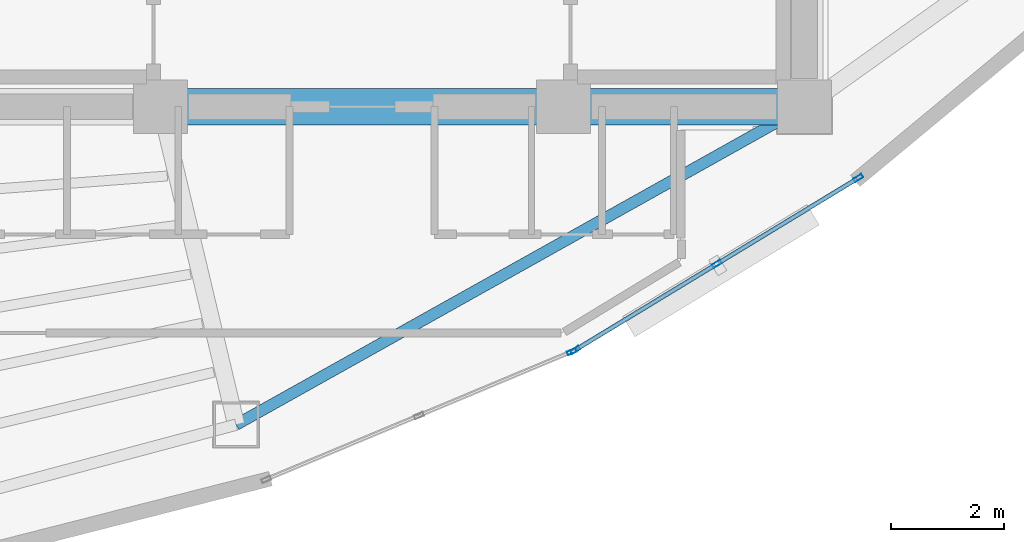
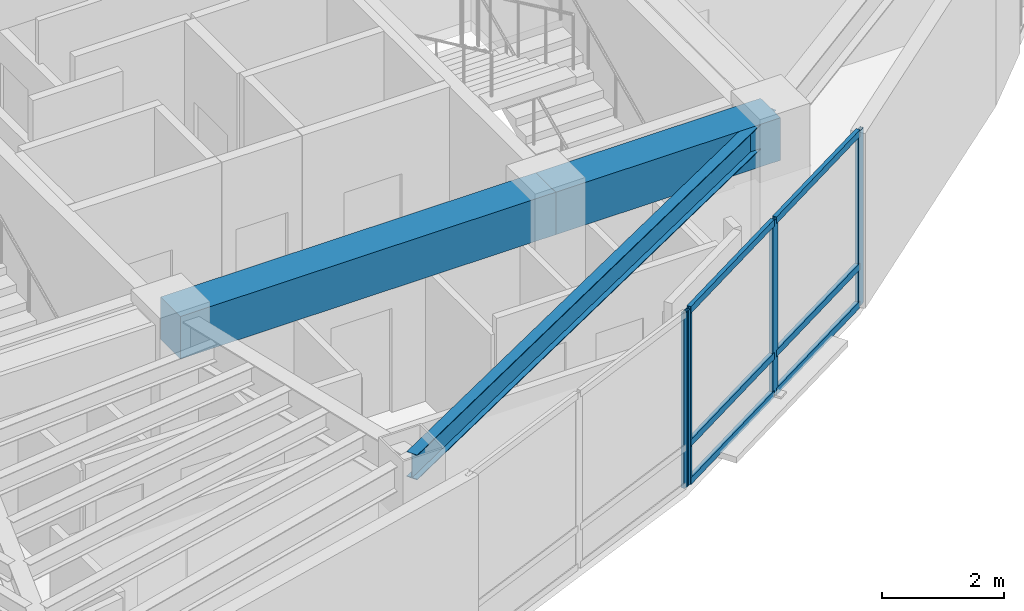
# One storey, part 5 of 15: 10 members, 3 beams, 2 elements without a shape of their own.
"""IFC4 building model written with IfcOpenShell, lengths in metres."""

from ifc_helpers import new_model, si_unit, direction, frame, origin, origin_2d, place, context, subcontext, project, spatial, rectangle, hollow_rectangle, i_section, extrude, material, layer, layer_set, material_profile, profile_set, type_object, element, aggregate, save


model = new_model("IFC4")

# Units and contexts
model_context = context("Model", 3, precision=1e-05, world=origin(), true_north=direction((0.0, 1.0)))
body_context = subcontext(model_context, "Body", "Model", "MODEL_VIEW")
ifc_project = project(units=[si_unit("LENGTHUNIT", "METRE"), si_unit("AREAUNIT", "SQUARE_METRE"), si_unit("VOLUMEUNIT", "CUBIC_METRE"), si_unit("PLANEANGLEUNIT", "RADIAN"), si_unit("MASSUNIT", "GRAM", prefix="KILO")], contexts=[model_context])

# Site, building, storey
site_placement = place(None, origin())
site = spatial("IfcSite", under=ifc_project, at=site_placement, CompositionType="ELEMENT")
building_placement = place(site_placement, origin())
building = spatial("IfcBuilding", under=site, at=building_placement, Name="Menara Vayukalpa", CompositionType="ELEMENT")
storey_placement = place(building_placement, frame((0.0, 0.0, 258.300048828125)))
storey = spatial("IfcBuildingStorey", under=building, at=storey_placement, Name="L65", CompositionType="ELEMENT", Elevation=258.300048828125)

# Beams
ifc_material_1 = material(Name="Concrete C60/75", Category="concrete")
ifc_material_profile_1 = material_profile(ifc_material_1, rectangle(XDim=0.64990234375, YDim=0.85009765625, at=origin_2d()), Name="RC 650x850")
ifc_profile_set_1 = profile_set([ifc_material_profile_1], Name="Concrete C60/75")
beam_type_1 = type_object("IfcBeamType", Name="BM-CB1", PredefinedType="BEAM", material=ifc_profile_set_1)
beam_1_placement = place(storey_placement, frame((22.050048828125, 17.199951171875, 3.074951171875), z_axis=(1.0, 0.0, 0.0), x_axis=(0.0, 1.0, 0.0)))
element("IfcBeam", 1, at=beam_1_placement, inside=storey, type_object=beam_type_1, Name="L65 Core Tie Beam CBR2", PredefinedType="BEAM", context=body_context, shape_type="SweptSolid", body=[
    extrude(rectangle(XDim=0.64990234375, YDim=0.85009765625, at=origin_2d()), origin(), (0.0, 0.0, 1.0), 7.099853515625),
])
beam_2_placement = place(storey_placement, frame((29.14990234375, 17.199951171875, 3.074951171875), z_axis=(1.0, 0.0, 0.0), x_axis=(0.0, 1.0, 0.0)))
element("IfcBeam", 2, at=beam_2_placement, inside=storey, type_object=beam_type_1, Name="L65 Core Tie Beam CBR3", PredefinedType="BEAM", context=body_context, shape_type="SweptSolid", body=[
    extrude(rectangle(XDim=0.64990234375, YDim=0.85009765625, at=origin_2d()), origin(), (0.0, 0.0, 1.0), 4.25),
])
ifc_material_2 = material(Name="Steel S355", Category="steel")
ifc_material_profile_2 = material_profile(ifc_material_2, i_section(OverallWidth=0.199951171875, OverallDepth=0.5, WebThickness=0.010009765625, FlangeThickness=0.01611328125, at=origin_2d()), Name="WF 500x200x10x16")
ifc_profile_set_2 = profile_set([ifc_material_profile_2], Name="Steel S355")
beam_type_2 = type_object("IfcBeamType", Name="BM-SP3", PredefinedType="SPANDREL", material=ifc_profile_set_2)
beam_3_placement = place(storey_placement, frame((23.3818359375, 11.59521484375, 3.25), z_axis=(0.87270577288, 0.48824648896, 0.0), x_axis=(-0.48824648896, 0.87270577288, 0.0)))
element("IfcBeam", 3, at=beam_3_placement, inside=storey, type_object=beam_type_2, Name="L65 Perimeter Spandrel Beam SP08", PredefinedType="SPANDREL", context=body_context, shape_type="SweptSolid", body=[
    extrude(i_section(OverallWidth=0.199951171875, OverallDepth=0.5, WebThickness=0.010009765625, FlangeThickness=0.01611328125, at=origin_2d()), origin(), (0.0, 0.0, 1.0), 11.479248046875),
])

# Curtain wall, member
ifc_material_3 = material(Name="Anodised Terracotta Aluminium Alloy 6063-T6", Category="masonry")
ifc_layer = layer(ifc_material_3, 0.1650390625)
ifc_layer_set = layer_set([ifc_layer], Name="Anodised Terracotta Aluminium Alloy 6063-T6")
curtain_wall_type = type_object("IfcCurtainWallType", Name="CW-CW6", PredefinedType="USERDEFINED", material=ifc_layer_set)
curtain_wall_1_placement = place(storey_placement, origin())
curtain_wall_1 = element("IfcCurtainWall", 4, at=curtain_wall_1_placement, inside=storey, type_object=curtain_wall_type, Name="L65 Observation and Executive Curtain Wall CW6 16", ObjectType="UNITISED", PredefinedType="USERDEFINED")
ifc_material_4 = material(Name="Anodised Terracotta Aluminium Alloy 6063-T6", Category="masonry")
ifc_material_profile_3 = material_profile(ifc_material_4, hollow_rectangle(XDim=0.070068359375, YDim=0.1650390625, WallThickness=0.00390625, at=origin_2d()), Name="ALU 70x165x4")
ifc_profile_set_3 = profile_set([ifc_material_profile_3], Name="Anodised Terracotta Aluminium Alloy 6063-T6")
member_type_1 = type_object("IfcMemberType", Name="CWM-CW6", PredefinedType="MULLION", material=ifc_profile_set_3)
member_1_placement = place(storey_placement, frame((29.298828125, 12.881103515625, 0.0), z_axis=(0.0, 0.0, 1.0), x_axis=(-0.385899911703, 0.922540653927, 0.0)))
member_1 = element("IfcMember", 5, at=member_1_placement, type_object=member_type_1, Name="CW6 mullion 3", PredefinedType="MULLION", context=body_context, shape_type="SweptSolid", body=[
    extrude(hollow_rectangle(XDim=0.070068359375, YDim=0.1650390625, WallThickness=0.00390625, at=origin_2d()), origin(), (0.0, 0.0, 1.0), 3.5),
])
aggregate(curtain_wall_1, [member_1])

# Curtain wall, members
curtain_wall_2_placement = place(storey_placement, origin())
curtain_wall_2 = element("IfcCurtainWall", 6, at=curtain_wall_2_placement, inside=storey, type_object=curtain_wall_type, Name="L65 Observation and Executive Curtain Wall CW6 17", ObjectType="UNITISED", PredefinedType="USERDEFINED")
member_2_placement = place(storey_placement, frame((29.36083984375, 12.912841796875, 0.0), z_axis=(0.0, 0.0, 1.0), x_axis=(-0.519175574558, 0.854667609532, 0.0)))
member_2 = element("IfcMember", 7, at=member_2_placement, type_object=member_type_1, Name="CW6 mullion 1", PredefinedType="MULLION", context=body_context, shape_type="SweptSolid", body=[
    extrude(hollow_rectangle(XDim=0.070068359375, YDim=0.1650390625, WallThickness=0.00390625, at=origin_2d()), origin(), (0.0, 0.0, 1.0), 3.5),
])
member_3_placement = place(storey_placement, frame((31.85546875, 14.42822265625, 0.0), z_axis=(0.0, 0.0, 1.0), x_axis=(-0.519175574558, 0.854667609532, 0.0)))
member_3 = element("IfcMember", 8, at=member_3_placement, type_object=member_type_1, Name="CW6 mullion 2", PredefinedType="MULLION", context=body_context, shape_type="SweptSolid", body=[
    extrude(hollow_rectangle(XDim=0.070068359375, YDim=0.1650390625, WallThickness=0.00390625, at=origin_2d()), origin(), (0.0, 0.0, 1.0), 3.5),
])
member_4_placement = place(storey_placement, frame((34.35009765625, 15.943603515625, 0.0), z_axis=(0.0, 0.0, 1.0), x_axis=(-0.519175574558, 0.854667609532, 0.0)))
member_4 = element("IfcMember", 9, at=member_4_placement, type_object=member_type_1, Name="CW6 mullion 3", PredefinedType="MULLION", context=body_context, shape_type="SweptSolid", body=[
    extrude(hollow_rectangle(XDim=0.070068359375, YDim=0.1650390625, WallThickness=0.00390625, at=origin_2d()), origin(), (0.0, 0.0, 1.0), 3.5),
])
ifc_material_5 = material(Name="Anodised Terracotta Aluminium Alloy 6063-T6", Category="masonry")
ifc_material_profile_4 = material_profile(ifc_material_5, hollow_rectangle(XDim=0.074951171875, YDim=0.135009765625, WallThickness=0.00390625, at=origin_2d()), Name="ALU 75x135x4")
ifc_profile_set_4 = profile_set([ifc_material_profile_4], Name="Anodised Terracotta Aluminium Alloy 6063-T6")
member_type_2 = type_object("IfcMemberType", Name="CWT-CW6", PredefinedType="USERDEFINED", material=ifc_profile_set_4)
member_5_placement = place(storey_placement, frame((29.390869140625, 12.93115234375, 0.037353515625), z_axis=(0.854689729536, 0.519139158825, 0.0), x_axis=(-0.519139158825, 0.854689729536, 0.0)))
member_5 = element("IfcMember", 10, at=member_5_placement, type_object=member_type_2, Name="CW6 transom 1.1", ObjectType="TRANSOM", PredefinedType="USERDEFINED", context=body_context, shape_type="SweptSolid", body=[
    extrude(hollow_rectangle(XDim=0.074951171875, YDim=0.135009765625, WallThickness=0.00390625, at=origin_2d()), origin(), (0.0, 0.0, 1.0), 2.848388671875),
])
member_6_placement = place(storey_placement, frame((29.390869140625, 12.93115234375, 0.800048828125), z_axis=(0.854689729536, 0.519139158825, 0.0), x_axis=(-0.519139158825, 0.854689729536, 0.0)))
member_6 = element("IfcMember", 11, at=member_6_placement, type_object=member_type_2, Name="CW6 transom 1.2", ObjectType="TRANSOM", PredefinedType="USERDEFINED", context=body_context, shape_type="SweptSolid", body=[
    extrude(hollow_rectangle(XDim=0.074951171875, YDim=0.135009765625, WallThickness=0.00390625, at=origin_2d()), origin(), (0.0, 0.0, 1.0), 2.848388671875),
])
member_7_placement = place(storey_placement, frame((29.390869140625, 12.93115234375, 3.46240234375), z_axis=(0.854689729536, 0.519139158825, 0.0), x_axis=(-0.519139158825, 0.854689729536, 0.0)))
member_7 = element("IfcMember", 12, at=member_7_placement, type_object=member_type_2, Name="CW6 transom 1.3", ObjectType="TRANSOM", PredefinedType="USERDEFINED", context=body_context, shape_type="SweptSolid", body=[
    extrude(hollow_rectangle(XDim=0.074951171875, YDim=0.135009765625, WallThickness=0.00390625, at=origin_2d()), origin(), (0.0, 0.0, 1.0), 2.848388671875),
])
member_8_placement = place(storey_placement, frame((31.88525390625, 14.4462890625, 0.037353515625), z_axis=(0.854674800659, 0.519163736328, 0.0), x_axis=(-0.519163736328, 0.85467480066, 0.0)))
member_8 = element("IfcMember", 13, at=member_8_placement, type_object=member_type_2, Name="CW6 transom 2.1", ObjectType="TRANSOM", PredefinedType="USERDEFINED", context=body_context, shape_type="SweptSolid", body=[
    extrude(hollow_rectangle(XDim=0.074951171875, YDim=0.135009765625, WallThickness=0.00390625, at=origin_2d()), origin(), (0.0, 0.0, 1.0), 2.848876953125),
])
member_9_placement = place(storey_placement, frame((31.88525390625, 14.4462890625, 0.800048828125), z_axis=(0.854674800659, 0.519163736328, 0.0), x_axis=(-0.519163736328, 0.85467480066, 0.0)))
member_9 = element("IfcMember", 14, at=member_9_placement, type_object=member_type_2, Name="CW6 transom 2.2", ObjectType="TRANSOM", PredefinedType="USERDEFINED", context=body_context, shape_type="SweptSolid", body=[
    extrude(hollow_rectangle(XDim=0.074951171875, YDim=0.135009765625, WallThickness=0.00390625, at=origin_2d()), origin(), (0.0, 0.0, 1.0), 2.848876953125),
])
member_10_placement = place(storey_placement, frame((31.88525390625, 14.4462890625, 3.46240234375), z_axis=(0.854674800659, 0.519163736328, 0.0), x_axis=(-0.519163736328, 0.85467480066, 0.0)))
member_10 = element("IfcMember", 15, at=member_10_placement, type_object=member_type_2, Name="CW6 transom 2.3", ObjectType="TRANSOM", PredefinedType="USERDEFINED", context=body_context, shape_type="SweptSolid", body=[
    extrude(hollow_rectangle(XDim=0.074951171875, YDim=0.135009765625, WallThickness=0.00390625, at=origin_2d()), origin(), (0.0, 0.0, 1.0), 2.848876953125),
])
aggregate(curtain_wall_2, [member_2, member_3, member_4, member_5, member_6, member_7, member_8, member_9, member_10])

save(model, "model.ifc")
